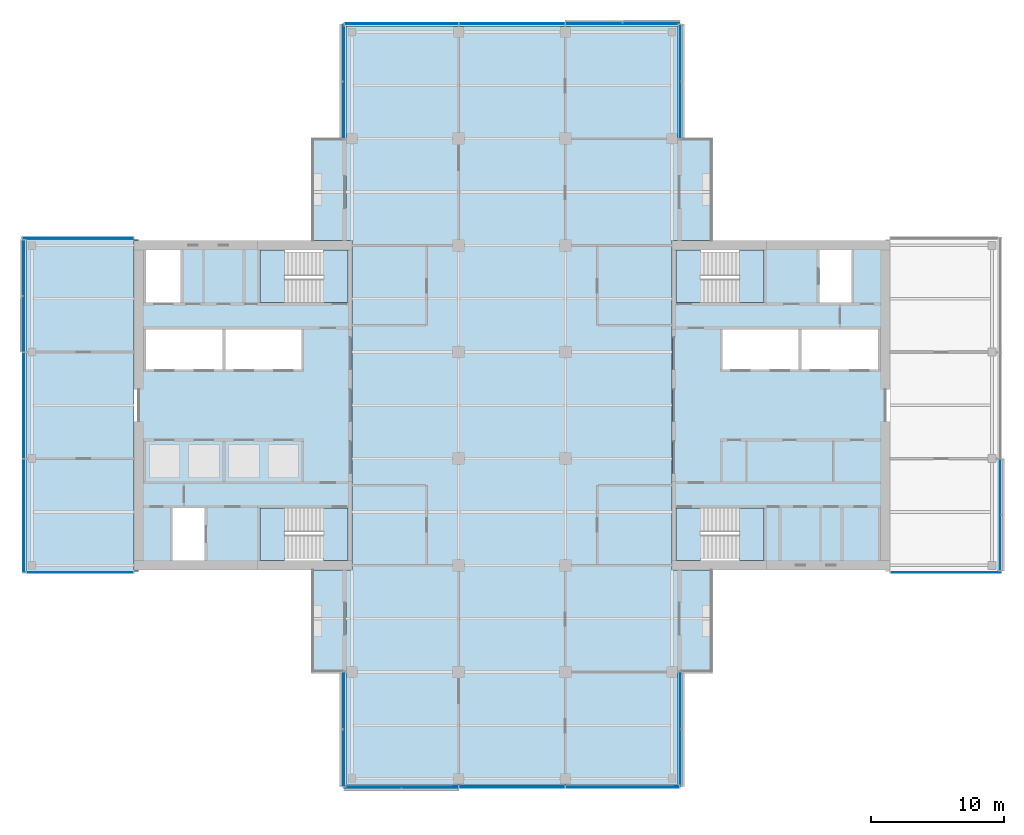
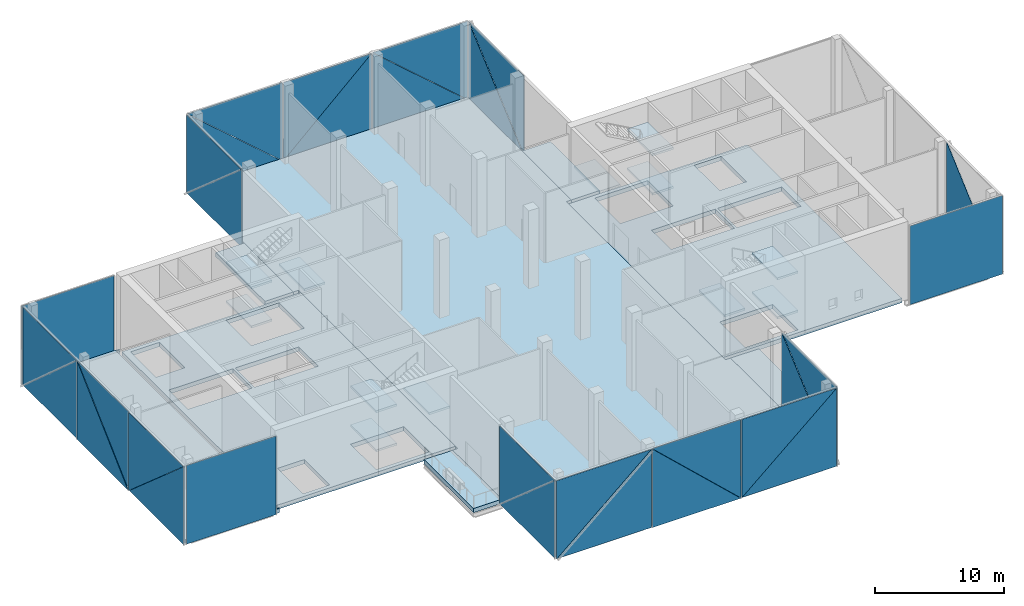
# One storey, part 8 of 20: 30 plates, 20 slabs, 15 elements without a shape of their own.
"""IFC4 building model written with IfcOpenShell, lengths in metres."""

import ifcopenshell
import ifcopenshell.guid

model = None  # the IFC model being written
_history = None  # IfcOwnerHistory: only IFC2X3 demands one
_inside = {}  # id of a spatial element -> (the spatial element, [elements in it])
_under = {}  # id of a project, library or spatial element -> (it, [spatial elements below it])
_declared = {}  # id of a project -> (the project, [libraries it declares])
_typed = {}  # id of a type object -> (the type object, [elements of that type])
_made_of = {}  # id of a material, layer set ... -> (it, [elements and type objects made of it])


def new_model(schema):
    """Start an empty IFC model of exactly this schema.

    Asked for "IFC4X3", IfcOpenShell would pick the latest addendum, in which some entities
    have other attributes; the version numbers below select the first issue.
    IFC2X3 requires an IfcOwnerHistory on every rooted entity: one is made here for all.
    """
    global model, _history
    if schema == "IFC4X3":
        model = ifcopenshell.file(schema_version=(4, 3, 0, 0))
    else:
        model = ifcopenshell.file(schema=schema)
    _inside.clear()
    _under.clear()
    _declared.clear()
    _typed.clear()
    _made_of.clear()
    _history = None
    if model.schema == "IFC2X3":
        org = make("IfcOrganization", Name="unknown")
        user = make(
            "IfcPersonAndOrganization",
            ThePerson=make("IfcPerson", FamilyName="unknown"),
            TheOrganization=org,
        )
        app = make(
            "IfcApplication",
            ApplicationDeveloper=org,
            Version="unknown",
            ApplicationFullName="unknown",
            ApplicationIdentifier="unknown",
        )
        _history = make(
            "IfcOwnerHistory",
            OwningUser=user,
            OwningApplication=app,
            ChangeAction="ADDED",
            CreationDate=0,
        )
    return model


def make(cls, **values):
    """One entity of the class cls with the attributes given. An attribute that is None is left unset."""
    return model.create_entity(
        cls, **{name: value for name, value in values.items() if value is not None}
    )


def rooted(cls, **values):
    """An entity with a GlobalId (a new one), such as an element, a storey or a relation."""
    return make(cls, GlobalId=ifcopenshell.guid.new(), OwnerHistory=_history, **values)


def si_unit(unit_type, name, prefix=None):
    """IfcSIUnit, for example si_unit("LENGTHUNIT", "METRE", prefix="MILLI")."""
    return make("IfcSIUnit", UnitType=unit_type, Prefix=prefix, Name=name)


def assignment(units):
    """IfcUnitAssignment: the units of a project."""
    return None if units is None else make("IfcUnitAssignment", Units=units)


def point(xyz):
    """IfcCartesianPoint."""
    return None if xyz is None else make("IfcCartesianPoint", Coordinates=xyz)


def direction(xyz):
    """IfcDirection."""
    return None if xyz is None else make("IfcDirection", DirectionRatios=xyz)


def frame(location, z_axis=None, x_axis=None):
    """IfcAxis2Placement3D, a coordinate frame: its origin and axes. An axis left out is left unset."""
    return make(
        "IfcAxis2Placement3D",
        Location=point(location),
        Axis=direction(z_axis),
        RefDirection=direction(x_axis),
    )


def origin():
    """The frame at (0, 0, 0) with its axes left unset."""
    return frame((0.0, 0.0, 0.0))


def place(relative_to, where):
    """IfcLocalPlacement: puts the frame where relative to a parent placement (None: the world)."""
    return make(
        "IfcLocalPlacement", PlacementRelTo=relative_to, RelativePlacement=where
    )


def context(
    kind, dimensions, precision=None, world=None, true_north=None, identifier=None
):
    """IfcGeometricRepresentationContext, for example the 3D "Model" context."""
    return make(
        "IfcGeometricRepresentationContext",
        ContextIdentifier=identifier,
        ContextType=kind,
        CoordinateSpaceDimension=dimensions,
        Precision=precision,
        WorldCoordinateSystem=world,
        TrueNorth=true_north,
    )


def subcontext(parent, identifier, kind, view, scale=None):
    """IfcGeometricRepresentationSubContext, for example "Body" below "Model"."""
    return make(
        "IfcGeometricRepresentationSubContext",
        ContextIdentifier=identifier,
        ContextType=kind,
        ParentContext=parent,
        TargetScale=scale,
        TargetView=view,
    )


def project(units=None, contexts=None):
    """IfcProject with its units and contexts."""
    return rooted(
        "IfcProject",
        Name="project",
        RepresentationContexts=contexts,
        UnitsInContext=assignment(units),
    )


def spatial(cls, under=None, at=None, **own):
    """A site, building, storey or space (cls), placed at a placement, below another one or the project."""
    s = rooted(cls, ObjectPlacement=at, **own)
    if under is not None:
        _under.setdefault(under.id(), (under, []))[1].append(s)
    return s


def polyline(points):
    """IfcPolyline through the points."""
    return make("IfcPolyline", Points=[point(p) for p in points])


def outline(outer, holes=None, kind="AREA"):
    """IfcArbitraryClosedProfileDef: a profile drawn as a closed curve; with holes, ...WithVoids."""
    if holes is None:
        return make("IfcArbitraryClosedProfileDef", ProfileType=kind, OuterCurve=outer)
    return make(
        "IfcArbitraryProfileDefWithVoids",
        ProfileType=kind,
        OuterCurve=outer,
        InnerCurves=holes,
    )


def extrude(swept, where, along, depth):
    """IfcExtrudedAreaSolid: the profile swept, set in the frame where, extruded along a direction by depth."""
    return make(
        "IfcExtrudedAreaSolid",
        SweptArea=swept,
        Position=where,
        ExtrudedDirection=direction(along),
        Depth=depth,
    )


def shape(context_of_items, identifier, shape_type, items):
    """IfcShapeRepresentation: the items that make up one representation, for example the "Body"."""
    return make(
        "IfcShapeRepresentation",
        ContextOfItems=context_of_items,
        RepresentationIdentifier=identifier,
        RepresentationType=shape_type,
        Items=items,
    )


def material(Name=None, Category=None):
    """IfcMaterial."""
    return make("IfcMaterial", Name=Name, Category=Category)


def layer(
    of_material, thickness, ventilated=None, Name=None, Category=None, Priority=None
):
    """IfcMaterialLayer: one layer of a wall or slab, of a material (None: an air gap)."""
    return make(
        "IfcMaterialLayer",
        Material=of_material,
        LayerThickness=thickness,
        IsVentilated=ventilated,
        Name=Name,
        Category=Category,
        Priority=Priority,
    )


def layer_set(layers, Name=None):
    """IfcMaterialLayerSet."""
    return make("IfcMaterialLayerSet", MaterialLayers=layers, LayerSetName=Name)


def made_of(thing, what):
    """Note that an element or type object is made of a material, layer set ...; save() writes the relation."""
    if what is not None:
        _made_of.setdefault(what.id(), (what, []))[1].append(thing)
    return thing


def type_object(cls, material=None, **own):
    """A type object (cls), such as IfcWallType, which elements share."""
    return made_of(rooted(cls, **own), material)


def element(
    cls,
    number,
    at=None,
    inside=None,
    cuts=None,
    type_object=None,
    material=None,
    context=None,
    identifier="Body",
    shape_type=None,
    held_by="IfcProductDefinitionShape",
    body=None,
    shapes=None,
    **own,
):
    """One element of the class cls, such as IfcWall. Its Tag is "e" and its number.

    at: its placement. inside: the storey or other place that contains it. cuts: it is an
    opening in that element (IfcRelVoidsElement). A single representation is given by context,
    identifier, shape_type and body (its items); several are given by shapes. held_by: the class
    of the entity that holds the representations. save() writes the other relations.
    """
    e = rooted(cls, Tag="e%d" % number, ObjectPlacement=at, **own)
    if body is not None:
        shapes = [shape(context, identifier, shape_type, body)]
    if shapes is not None:
        e.Representation = make(held_by, Representations=shapes)
    if inside is not None:
        _inside.setdefault(inside.id(), (inside, []))[1].append(e)
    if cuts is not None:
        rooted(
            "IfcRelVoidsElement", RelatingBuildingElement=cuts, RelatedOpeningElement=e
        )
    if type_object is not None:
        _typed.setdefault(type_object.id(), (type_object, []))[1].append(e)
    return made_of(e, material)


def aggregate(whole, parts):
    """IfcRelAggregates: a whole, such as a stair, and the parts it consists of."""
    return rooted("IfcRelAggregates", RelatingObject=whole, RelatedObjects=parts)


def save(model, path):
    """Write the relations noted so far, then the file.

    IfcRelAggregates (storeys below a building ...), IfcRelContainedInSpatialStructure (elements
    in a storey), IfcRelDefinesByType, IfcRelAssociatesMaterial and IfcRelDeclares: one each for
    every whole, place, type object, material and project.
    """
    for whole, parts in _under.values():
        aggregate(whole, parts)
    for where, things in _inside.values():
        rooted(
            "IfcRelContainedInSpatialStructure",
            RelatedElements=things,
            RelatingStructure=where,
        )
    for kind, things in _typed.values():
        rooted("IfcRelDefinesByType", RelatedObjects=things, RelatingType=kind)
    for what, things in _made_of.values():
        rooted("IfcRelAssociatesMaterial", RelatedObjects=things, RelatingMaterial=what)
    for by, libraries in _declared.values():
        rooted("IfcRelDeclares", RelatingContext=by, RelatedDefinitions=libraries)
    model.write(path)


model = new_model("IFC4")

# Units and contexts
model_context = context("Model", 3, precision=1e-05, world=origin(), true_north=direction((0.0, 1.0)))
body_context = subcontext(model_context, "Body", "Model", "MODEL_VIEW")
ifc_project = project(units=[si_unit("LENGTHUNIT", "METRE"), si_unit("AREAUNIT", "SQUARE_METRE"), si_unit("VOLUMEUNIT", "CUBIC_METRE"), si_unit("PLANEANGLEUNIT", "RADIAN"), si_unit("MASSUNIT", "GRAM", prefix="KILO")], contexts=[model_context])

# Site, building, storey
site_placement = place(None, origin())
site = spatial("IfcSite", under=ifc_project, at=site_placement, CompositionType="ELEMENT")
building_placement = place(site_placement, origin())
building = spatial("IfcBuilding", under=site, at=building_placement, Name="Crosswind Convention Tower", CompositionType="ELEMENT")
storey_placement = place(building_placement, frame((0.0, 0.0, 171.5)))
storey = spatial("IfcBuildingStorey", under=building, at=storey_placement, Name="L36", CompositionType="ELEMENT", Elevation=171.5)

# Slabs
ifc_material_1 = material(Name="Concrete C40/50", Category="concrete")
ifc_layer_1 = layer(ifc_material_1, 0.39990234375)
ifc_layer_set_1 = layer_set([ifc_layer_1], Name="Concrete C40/50")
slab_type_1 = type_object("IfcSlabType", Name="Composite floor slab 400", PredefinedType="FLOOR", material=ifc_layer_set_1)
slab_1_placement = place(storey_placement, frame((0.0, 0.0, -0.39990234375)))
element("IfcSlab", 1, at=slab_1_placement, inside=storey, type_object=slab_type_1, Name="Floor slab L36 part 1", PredefinedType="FLOOR", context=body_context, shape_type="SweptSolid", body=[
    extrude(outline(polyline([(97.0, 87.550048828125), (89.0, 87.550048828125), (88.550048828125, 87.550048828125), (88.550048828125, 88.0), (88.550048828125, 112.0), (88.550048828125, 112.449951171875), (89.0, 112.449951171875), (97.0, 112.449951171875), (97.0, 112.35009765625), (96.64990234375, 112.35009765625), (96.64990234375, 87.64990234375), (97.0, 87.64990234375), (97.0, 87.550048828125)])), origin(), (0.0, 0.0, 1.0), 0.39990234375),
])
slab_2_placement = place(storey_placement, frame((0.0, 0.0, -0.39990234375)))
element("IfcSlab", 2, at=slab_2_placement, inside=storey, type_object=slab_type_1, Name="Floor slab L36 part 2", PredefinedType="FLOOR", context=body_context, shape_type="SweptSolid", body=[
    extrude(outline(polyline([(112.550048828125, 87.64990234375), (113.0, 87.64990234375), (113.0, 112.35009765625), (112.550048828125, 112.35009765625), (112.550048828125, 128.0), (112.550048828125, 128.449951171875), (113.0, 128.449951171875), (137.0, 128.449951171875), (137.449951171875, 128.449951171875), (137.449951171875, 128.0), (137.449951171875, 112.35009765625), (137.0, 112.35009765625), (137.0, 87.64990234375), (137.449951171875, 87.64990234375), (137.449951171875, 72.0), (137.449951171875, 71.550048828125), (137.0, 71.550048828125), (113.0, 71.550048828125), (112.550048828125, 71.550048828125), (112.550048828125, 72.0), (112.550048828125, 87.64990234375)])), origin(), (0.0, 0.0, 1.0), 0.39990234375),
])
ifc_layer_2 = layer(ifc_material_1, 0.39990234375)
ifc_layer_set_2 = layer_set([ifc_layer_2], Name="Concrete C40/50")
slab_type_2 = type_object("IfcSlabType", Name="Concrete core floor slab 400", PredefinedType="FLOOR", material=ifc_layer_set_2)
slab_3_placement = place(storey_placement, frame((0.0, 0.0, -0.39990234375)))
element("IfcSlab", 3, at=slab_3_placement, inside=storey, type_object=slab_type_2, Name="Core floor slab E L36", PredefinedType="FLOOR", context=body_context, shape_type="SweptSolid", body=[
    extrude(outline(polyline([(137.0, 88.0), (153.0, 88.0), (153.0, 112.0), (137.0, 112.0), (137.0, 88.0)]), holes=[polyline([(146.5, 102.699951171875), (146.5, 105.699951171875), (140.800048828125, 105.699951171875), (140.800048828125, 102.699951171875), (146.5, 102.699951171875)]), polyline([(152.449951171875, 102.699951171875), (152.449951171875, 105.699951171875), (146.699951171875, 105.699951171875), (146.699951171875, 102.699951171875), (152.449951171875, 102.699951171875)]), polyline([(150.449951171875, 107.699951171875), (150.449951171875, 111.64990234375), (148.050048828125, 111.64990234375), (148.050048828125, 107.699951171875), (150.449951171875, 107.699951171875)]), polyline([(143.89990234375, 107.699951171875), (143.89990234375, 111.64990234375), (139.14990234375, 111.64990234375), (139.14990234375, 107.699951171875), (143.89990234375, 107.699951171875)]), polyline([(143.89990234375, 88.35009765625), (143.89990234375, 92.300048828125), (139.14990234375, 92.300048828125), (139.14990234375, 88.35009765625), (143.89990234375, 88.35009765625)])]), origin(), (0.0, 0.0, 1.0), 0.39990234375),
])
slab_4_placement = place(storey_placement, frame((0.0, 0.0, -0.39990234375)))
element("IfcSlab", 4, at=slab_4_placement, inside=storey, type_object=slab_type_2, Name="Core floor slab W L36", PredefinedType="FLOOR", context=body_context, shape_type="SweptSolid", body=[
    extrude(outline(polyline([(97.0, 88.0), (113.0, 88.0), (113.0, 112.0), (97.0, 112.0), (97.0, 88.0)]), holes=[polyline([(109.199951171875, 102.699951171875), (109.199951171875, 105.699951171875), (103.5, 105.699951171875), (103.5, 102.699951171875), (109.199951171875, 102.699951171875)]), polyline([(103.300048828125, 102.699951171875), (103.300048828125, 105.699951171875), (97.550048828125, 105.699951171875), (97.550048828125, 102.699951171875), (103.300048828125, 102.699951171875)]), polyline([(101.949951171875, 88.35009765625), (101.949951171875, 92.300048828125), (99.550048828125, 92.300048828125), (99.550048828125, 88.35009765625), (101.949951171875, 88.35009765625)]), polyline([(100.14990234375, 107.699951171875), (100.14990234375, 111.64990234375), (97.550048828125, 111.64990234375), (97.550048828125, 107.699951171875), (100.14990234375, 107.699951171875)]), polyline([(110.85009765625, 88.35009765625), (110.85009765625, 92.300048828125), (106.10009765625, 92.300048828125), (106.10009765625, 88.35009765625), (110.85009765625, 88.35009765625)]), polyline([(110.85009765625, 107.699951171875), (110.85009765625, 111.64990234375), (106.10009765625, 111.64990234375), (106.10009765625, 107.699951171875), (110.85009765625, 107.699951171875)])]), origin(), (0.0, 0.0, 1.0), 0.39990234375),
])

# Stair, slabs
stair_type = type_object("IfcStairType", Name="Exit stair 1800 wide, 4 flights of 11 risers", PredefinedType="HALF_TURN_STAIR", material=ifc_material_1)
stair_1_placement = place(storey_placement, origin())
stair_1 = element("IfcStair", 5, at=stair_1_placement, inside=storey, type_object=stair_type, Name="Exit stair ST1 L36", ObjectType="ST6", PredefinedType="HALF_TURN_STAIR")
ifc_layer_3 = layer(ifc_material_1, 0.199951171875)
ifc_layer_set_3 = layer_set([ifc_layer_3], Name="Concrete C40/50")
slab_type_3 = type_object("IfcSlabType", Name="Stair landing 200", PredefinedType="LANDING", material=ifc_layer_set_3)
slab_5_placement = place(storey_placement, frame((0.0, 0.0, 1.64990234375)))
slab_5 = element("IfcSlab", 6, at=slab_5_placement, type_object=slab_type_3, Name="ST1 landing 1", PredefinedType="LANDING", context=body_context, shape_type="SweptSolid", body=[
    extrude(outline(polyline([(143.89990234375, 107.699951171875), (143.89990234375, 111.64990234375), (142.050048828125, 111.64990234375), (142.050048828125, 107.699951171875), (143.89990234375, 107.699951171875)])), origin(), (0.0, 0.0, 1.0), 0.2001953125),
])
slab_6_placement = place(storey_placement, frame((0.0, 0.0, 3.5)))
slab_6 = element("IfcSlab", 7, at=slab_6_placement, type_object=slab_type_3, Name="ST1 landing 2", PredefinedType="LANDING", context=body_context, shape_type="SweptSolid", body=[
    extrude(outline(polyline([(139.14990234375, 107.699951171875), (139.14990234375, 111.64990234375), (137.300048828125, 111.64990234375), (137.300048828125, 107.699951171875), (139.14990234375, 107.699951171875)])), origin(), (0.0, 0.0, 1.0), 0.199951171875),
])
slab_7_placement = place(storey_placement, frame((0.0, 0.0, 5.35009765625)))
slab_7 = element("IfcSlab", 8, at=slab_7_placement, type_object=slab_type_3, Name="ST1 landing 3", PredefinedType="LANDING", context=body_context, shape_type="SweptSolid", body=[
    extrude(outline(polyline([(143.89990234375, 107.699951171875), (143.89990234375, 111.64990234375), (142.050048828125, 111.64990234375), (142.050048828125, 107.699951171875), (143.89990234375, 107.699951171875)])), origin(), (0.0, 0.0, 1.0), 0.199951171875),
])
aggregate(stair_1, [slab_5, slab_6, slab_7])

stair_2_placement = place(storey_placement, origin())
stair_2 = element("IfcStair", 9, at=stair_2_placement, inside=storey, type_object=stair_type, Name="Exit stair ST2 L36", ObjectType="ST6", PredefinedType="HALF_TURN_STAIR")
slab_8_placement = place(storey_placement, frame((0.0, 0.0, 1.64990234375)))
slab_8 = element("IfcSlab", 10, at=slab_8_placement, type_object=slab_type_3, Name="ST2 landing 1", PredefinedType="LANDING", context=body_context, shape_type="SweptSolid", body=[
    extrude(outline(polyline([(143.89990234375, 88.35009765625), (143.89990234375, 92.300048828125), (142.050048828125, 92.300048828125), (142.050048828125, 88.35009765625), (143.89990234375, 88.35009765625)])), origin(), (0.0, 0.0, 1.0), 0.2001953125),
])
slab_9_placement = place(storey_placement, frame((0.0, 0.0, 3.5)))
slab_9 = element("IfcSlab", 11, at=slab_9_placement, type_object=slab_type_3, Name="ST2 landing 2", PredefinedType="LANDING", context=body_context, shape_type="SweptSolid", body=[
    extrude(outline(polyline([(139.14990234375, 88.35009765625), (139.14990234375, 92.300048828125), (137.300048828125, 92.300048828125), (137.300048828125, 88.35009765625), (139.14990234375, 88.35009765625)])), origin(), (0.0, 0.0, 1.0), 0.199951171875),
])
slab_10_placement = place(storey_placement, frame((0.0, 0.0, 5.35009765625)))
slab_10 = element("IfcSlab", 12, at=slab_10_placement, type_object=slab_type_3, Name="ST2 landing 3", PredefinedType="LANDING", context=body_context, shape_type="SweptSolid", body=[
    extrude(outline(polyline([(143.89990234375, 88.35009765625), (143.89990234375, 92.300048828125), (142.050048828125, 92.300048828125), (142.050048828125, 88.35009765625), (143.89990234375, 88.35009765625)])), origin(), (0.0, 0.0, 1.0), 0.199951171875),
])
aggregate(stair_2, [slab_8, slab_9, slab_10])

stair_3_placement = place(storey_placement, origin())
stair_3 = element("IfcStair", 13, at=stair_3_placement, inside=storey, type_object=stair_type, Name="Exit stair ST3 L36", ObjectType="ST6", PredefinedType="HALF_TURN_STAIR")
slab_11_placement = place(storey_placement, frame((0.0, 0.0, 1.64990234375)))
slab_11 = element("IfcSlab", 14, at=slab_11_placement, type_object=slab_type_3, Name="ST3 landing 1", PredefinedType="LANDING", context=body_context, shape_type="SweptSolid", body=[
    extrude(outline(polyline([(107.949951171875, 88.35009765625), (107.949951171875, 92.300048828125), (106.10009765625, 92.300048828125), (106.10009765625, 88.35009765625), (107.949951171875, 88.35009765625)])), origin(), (0.0, 0.0, 1.0), 0.2001953125),
])
slab_12_placement = place(storey_placement, frame((0.0, 0.0, 3.5)))
slab_12 = element("IfcSlab", 15, at=slab_12_placement, type_object=slab_type_3, Name="ST3 landing 2", PredefinedType="LANDING", context=body_context, shape_type="SweptSolid", body=[
    extrude(outline(polyline([(112.699951171875, 88.35009765625), (112.699951171875, 92.300048828125), (110.85009765625, 92.300048828125), (110.85009765625, 88.35009765625), (112.699951171875, 88.35009765625)])), origin(), (0.0, 0.0, 1.0), 0.199951171875),
])
slab_13_placement = place(storey_placement, frame((0.0, 0.0, 5.35009765625)))
slab_13 = element("IfcSlab", 16, at=slab_13_placement, type_object=slab_type_3, Name="ST3 landing 3", PredefinedType="LANDING", context=body_context, shape_type="SweptSolid", body=[
    extrude(outline(polyline([(107.949951171875, 88.35009765625), (107.949951171875, 92.300048828125), (106.10009765625, 92.300048828125), (106.10009765625, 88.35009765625), (107.949951171875, 88.35009765625)])), origin(), (0.0, 0.0, 1.0), 0.199951171875),
])
aggregate(stair_3, [slab_11, slab_12, slab_13])

stair_4_placement = place(storey_placement, origin())
stair_4 = element("IfcStair", 17, at=stair_4_placement, inside=storey, type_object=stair_type, Name="Exit stair ST4 L36", ObjectType="ST6", PredefinedType="HALF_TURN_STAIR")
slab_14_placement = place(storey_placement, frame((0.0, 0.0, 1.64990234375)))
slab_14 = element("IfcSlab", 18, at=slab_14_placement, type_object=slab_type_3, Name="ST4 landing 1", PredefinedType="LANDING", context=body_context, shape_type="SweptSolid", body=[
    extrude(outline(polyline([(107.949951171875, 107.699951171875), (107.949951171875, 111.64990234375), (106.10009765625, 111.64990234375), (106.10009765625, 107.699951171875), (107.949951171875, 107.699951171875)])), origin(), (0.0, 0.0, 1.0), 0.2001953125),
])
slab_15_placement = place(storey_placement, frame((0.0, 0.0, 3.5)))
slab_15 = element("IfcSlab", 19, at=slab_15_placement, type_object=slab_type_3, Name="ST4 landing 2", PredefinedType="LANDING", context=body_context, shape_type="SweptSolid", body=[
    extrude(outline(polyline([(112.699951171875, 107.699951171875), (112.699951171875, 111.64990234375), (110.85009765625, 111.64990234375), (110.85009765625, 107.699951171875), (112.699951171875, 107.699951171875)])), origin(), (0.0, 0.0, 1.0), 0.199951171875),
])
slab_16_placement = place(storey_placement, frame((0.0, 0.0, 5.35009765625)))
slab_16 = element("IfcSlab", 20, at=slab_16_placement, type_object=slab_type_3, Name="ST4 landing 3", PredefinedType="LANDING", context=body_context, shape_type="SweptSolid", body=[
    extrude(outline(polyline([(107.949951171875, 107.699951171875), (107.949951171875, 111.64990234375), (106.10009765625, 111.64990234375), (106.10009765625, 107.699951171875), (107.949951171875, 107.699951171875)])), origin(), (0.0, 0.0, 1.0), 0.199951171875),
])
aggregate(stair_4, [slab_14, slab_15, slab_16])

# Curtain wall, plate
ifc_material_2 = material(Name="Aluminium unitised curtain wall", Category="aluminium")
curtain_wall_type_1 = type_object("IfcCurtainWallType", Name="CORE END SLOT WALL 160", PredefinedType="USERDEFINED", material=ifc_material_2)
curtain_wall_1_placement = place(storey_placement, origin())
curtain_wall_1 = element("IfcCurtainWall", 21, at=curtain_wall_1_placement, inside=storey, type_object=curtain_wall_type_1, Name="CW6 L36 W-N.2-1 slot", ObjectType="UNITISED", PredefinedType="USERDEFINED")
ifc_material_3 = material(Name="Laminated insulating glass unit", Category="glass")
ifc_layer_4 = layer(ifc_material_3, 0.02587890625)
ifc_layer_set_4 = layer_set([ifc_layer_4], Name="TRIANGULAR GLASS PANEL 26")
plate_type_1 = type_object("IfcPlateType", Name="TRIANGULAR GLASS PANEL 26", PredefinedType="CURTAIN_PANEL", material=ifc_layer_set_4)
plate_1_placement = place(storey_placement, frame((96.60009765625, 112.557373046875, -0.39990234375), z_axis=(0.0, 0.999999922678, 0.000393249191), x_axis=(-1.0, 0.0, 0.0)))
plate_1 = element("IfcPlate", 22, at=plate_1_placement, type_object=plate_type_1, Name="CW6 panel 1.1", PredefinedType="CURTAIN_PANEL", context=body_context, shape_type="SweptSolid", body=[
    extrude(outline(polyline([(0.0, 0.0), (8.280029296875, 0.0), (8.280029296875, 7.449951747923642), (0.0, 7.449951747923642), (0.0, 0.0)])), origin(), (0.0, 0.0, -1.0), 0.02587890625),
])
aggregate(curtain_wall_1, [plate_1])

curtain_wall_2_placement = place(storey_placement, origin())
curtain_wall_2 = element("IfcCurtainWall", 23, at=curtain_wall_2_placement, inside=storey, type_object=curtain_wall_type_1, Name="CW6 L36 W-S.1-1 slot", ObjectType="UNITISED", PredefinedType="USERDEFINED")
plate_2_placement = place(storey_placement, frame((88.60009765625, 87.442626953125, -0.39990234375), z_axis=(0.0, -0.999999922678, 0.000393249191), x_axis=(1.0, 0.0, 0.0)))
plate_2 = element("IfcPlate", 24, at=plate_2_placement, type_object=plate_type_1, Name="CW6 panel 1.1", PredefinedType="CURTAIN_PANEL", context=body_context, shape_type="SweptSolid", body=[
    extrude(outline(polyline([(0.0, 0.0), (8.0, 0.0), (8.0, 7.449951747923642), (0.0, 7.449951747923642), (0.0, 0.0)])), origin(), (0.0, 0.0, -1.0), 0.02587890625),
])
aggregate(curtain_wall_2, [plate_2])

curtain_wall_3_placement = place(storey_placement, origin())
curtain_wall_3 = element("IfcCurtainWall", 25, at=curtain_wall_3_placement, inside=storey, type_object=curtain_wall_type_1, Name="CW6 L36 E-S.2-1 slot", ObjectType="UNITISED", PredefinedType="USERDEFINED")
plate_3_placement = place(storey_placement, frame((153.39990234375, 87.442626953125, -0.39990234375), z_axis=(0.0, -0.999999922678, 0.000393249191), x_axis=(1.0, 0.0, 0.0)))
plate_3 = element("IfcPlate", 26, at=plate_3_placement, type_object=plate_type_1, Name="CW6 panel 1.1", PredefinedType="CURTAIN_PANEL", context=body_context, shape_type="SweptSolid", body=[
    extrude(outline(polyline([(0.0, 0.0), (8.280029296875, 0.0), (8.280029296875, 7.449951747923642), (0.0, 7.449951747923642), (0.0, 0.0)])), origin(), (0.0, 0.0, -1.0), 0.02587890625),
])
aggregate(curtain_wall_3, [plate_3])

curtain_wall_type_2 = type_object("IfcCurtainWallType", Name="SKY LOBBY AND LOUNGE WALL 280", PredefinedType="USERDEFINED", material=ifc_material_2)
curtain_wall_4_placement = place(storey_placement, origin())
curtain_wall_4 = element("IfcCurtainWall", 27, at=curtain_wall_4_placement, inside=storey, type_object=curtain_wall_type_2, Name="CW4 L36 E-TIP 1", ObjectType="UNITISED", PredefinedType="USERDEFINED")
ifc_layer_5 = layer(ifc_material_3, 0.0400390625)
ifc_layer_set_5 = layer_set([ifc_layer_5], Name="TRIANGULAR GLASS PANEL 40")
plate_type_2 = type_object("IfcPlateType", Name="TRIANGULAR GLASS PANEL 40", PredefinedType="CURTAIN_PANEL", material=ifc_layer_set_5)
plate_4_placement = place(storey_placement, frame((161.631591796875, 95.96240234375, -0.39990234375), z_axis=(0.999999908312, 0.0, 0.000428223164), x_axis=(-0.000428223164, 0.0, 0.999999908312)))
plate_4 = element("IfcPlate", 28, at=plate_4_placement, type_object=plate_type_2, Name="CW4 panel 1.1", PredefinedType="CURTAIN_PANEL", context=body_context, shape_type="SweptSolid", body=[
    extrude(outline(polyline([(0.0, 0.0), (7.411621773303392, 0.0), (0.0, 8.322265625), (0.0, 0.0)])), origin(), (0.0, 0.0, -1.0), 0.0400390625),
])
aggregate(curtain_wall_4, [plate_4])

# Curtain wall, plates
curtain_wall_5_placement = place(storey_placement, origin())
curtain_wall_5 = element("IfcCurtainWall", 29, at=curtain_wall_5_placement, inside=storey, type_object=curtain_wall_type_2, Name="CW4 L36 N-E 1", ObjectType="UNITISED", PredefinedType="USERDEFINED")
plate_5_placement = place(storey_placement, frame((137.631591796875, 128.552490234375, -0.39990234375), z_axis=(0.999999908312, 0.0, 0.000428223164), x_axis=(-0.000428223164, 0.0, 0.999999908312)))
plate_5 = element("IfcPlate", 30, at=plate_5_placement, type_object=plate_type_2, Name="CW4 panel 1.1", PredefinedType="CURTAIN_PANEL", context=body_context, shape_type="SweptSolid", body=[
    extrude(outline(polyline([(0.0, 0.0), (7.411621773303392, 0.0), (0.0, 8.499755859375), (0.0, 0.0)])), origin(), (0.0, 0.0, -1.0), 0.0400390625),
])
plate_6_placement = place(storey_placement, frame((137.67041015625, 120.03759765625, 7.02490234375), z_axis=(0.999999908312, 0.0, 0.000428223164), x_axis=(0.000428223164, 0.0, -0.999999908312)))
plate_6 = element("IfcPlate", 31, at=plate_6_placement, type_object=plate_type_2, Name="CW4 panel 1.2", PredefinedType="CURTAIN_PANEL", context=body_context, shape_type="SweptSolid", body=[
    extrude(outline(polyline([(0.0, 0.0), (7.411621773303392, 0.0), (0.0, 8.499755859375), (0.0, 0.0)])), origin(), (0.0, 0.0, -1.0), 0.0400390625),
])
aggregate(curtain_wall_5, [plate_5, plate_6])

curtain_wall_6_placement = place(storey_placement, origin())
curtain_wall_6 = element("IfcCurtainWall", 32, at=curtain_wall_6_placement, inside=storey, type_object=curtain_wall_type_2, Name="CW4 L36 N-TIP 1", ObjectType="UNITISED", PredefinedType="USERDEFINED")
plate_7_placement = place(storey_placement, frame((129.03759765625, 128.631591796875, -0.39990234375), z_axis=(0.0, 0.999999908312, 0.000428223164), x_axis=(0.0, -0.000428223164, 0.999999908312)))
plate_7 = element("IfcPlate", 33, at=plate_7_placement, type_object=plate_type_2, Name="CW4 panel 1.1", PredefinedType="CURTAIN_PANEL", context=body_context, shape_type="SweptSolid", body=[
    extrude(outline(polyline([(0.0, 0.0), (7.411621773303392, 0.0), (0.0, 8.499755859375), (0.0, 0.0)])), origin(), (0.0, 0.0, -1.0), 0.0400390625),
])
plate_8_placement = place(storey_placement, frame((137.552490234375, 128.67041015625, 7.02490234375), z_axis=(0.0, 0.999999908312, 0.000428223164), x_axis=(0.0, 0.000428223164, -0.999999908312)))
plate_8 = element("IfcPlate", 34, at=plate_8_placement, type_object=plate_type_2, Name="CW4 panel 1.2", PredefinedType="CURTAIN_PANEL", context=body_context, shape_type="SweptSolid", body=[
    extrude(outline(polyline([(0.0, 0.0), (7.411621773303392, 0.0), (0.0, 8.499755859375), (0.0, 0.0)])), origin(), (0.0, 0.0, -1.0), 0.0400390625),
])
plate_9_placement = place(storey_placement, frame((121.03759765625, 128.62841796875, 7.02490234375), z_axis=(0.0, 0.9999999083, 0.000428251377), x_axis=(1.0, 0.0, 0.0)))
plate_9 = element("IfcPlate", 35, at=plate_9_placement, type_object=plate_type_2, Name="CW4 panel 2.1", PredefinedType="CURTAIN_PANEL", context=body_context, shape_type="SweptSolid", body=[
    extrude(outline(polyline([(0.0, 0.0), (7.91015625, 0.0), (0.0, 7.4111334920981635), (0.0, 0.0)])), origin(), (0.0, 0.0, -1.0), 0.0400390625),
])
plate_10_placement = place(storey_placement, frame((128.96240234375, 128.673583984375, -0.39990234375), z_axis=(0.0, 0.9999999083, 0.000428251377), x_axis=(-1.0, 0.0, 0.0)))
plate_10 = element("IfcPlate", 36, at=plate_10_placement, type_object=plate_type_2, Name="CW4 panel 2.2", PredefinedType="CURTAIN_PANEL", context=body_context, shape_type="SweptSolid", body=[
    extrude(outline(polyline([(0.0, 0.0), (7.91015625, 0.0), (0.0, 7.4111334920981635), (0.0, 0.0)])), origin(), (0.0, 0.0, -1.0), 0.0400390625),
])
plate_11_placement = place(storey_placement, frame((112.447509765625, 128.631591796875, -0.39990234375), z_axis=(0.0, 0.999999908312, 0.000428223164), x_axis=(0.0, -0.000428223164, 0.999999908312)))
plate_11 = element("IfcPlate", 37, at=plate_11_placement, type_object=plate_type_2, Name="CW4 panel 3.1", PredefinedType="CURTAIN_PANEL", context=body_context, shape_type="SweptSolid", body=[
    extrude(outline(polyline([(0.0, 0.0), (7.411621773303392, 0.0), (0.0, 8.499755859375), (0.0, 0.0)])), origin(), (0.0, 0.0, -1.0), 0.0400390625),
])
plate_12_placement = place(storey_placement, frame((120.96240234375, 128.67041015625, 7.02490234375), z_axis=(0.0, 0.999999908312, 0.000428223164), x_axis=(0.0, 0.000428223164, -0.999999908312)))
plate_12 = element("IfcPlate", 38, at=plate_12_placement, type_object=plate_type_2, Name="CW4 panel 3.2", PredefinedType="CURTAIN_PANEL", context=body_context, shape_type="SweptSolid", body=[
    extrude(outline(polyline([(0.0, 0.0), (7.411621773303392, 0.0), (0.0, 8.499755859375), (0.0, 0.0)])), origin(), (0.0, 0.0, -1.0), 0.0400390625),
])
aggregate(curtain_wall_6, [plate_7, plate_8, plate_9, plate_10, plate_11, plate_12])

curtain_wall_7_placement = place(storey_placement, origin())
curtain_wall_7 = element("IfcCurtainWall", 39, at=curtain_wall_7_placement, inside=storey, type_object=curtain_wall_type_2, Name="CW4 L36 N-W 1", ObjectType="UNITISED", PredefinedType="USERDEFINED")
plate_13_placement = place(storey_placement, frame((112.368408203125, 120.03759765625, -0.39990234375), z_axis=(-0.999999908312, 0.0, 0.000428223164), x_axis=(0.000428223164, 0.0, 0.999999908312)))
plate_13 = element("IfcPlate", 40, at=plate_13_placement, type_object=plate_type_2, Name="CW4 panel 1.1", PredefinedType="CURTAIN_PANEL", context=body_context, shape_type="SweptSolid", body=[
    extrude(outline(polyline([(0.0, 0.0), (7.411621773303392, 0.0), (0.0, 8.499755859375), (0.0, 0.0)])), origin(), (0.0, 0.0, -1.0), 0.0400390625),
])
plate_14_placement = place(storey_placement, frame((112.32958984375, 128.552490234375, 7.02490234375), z_axis=(-0.999999908312, 0.0, 0.000428223164), x_axis=(-0.000428223164, 0.0, -0.999999908312)))
plate_14 = element("IfcPlate", 41, at=plate_14_placement, type_object=plate_type_2, Name="CW4 panel 1.2", PredefinedType="CURTAIN_PANEL", context=body_context, shape_type="SweptSolid", body=[
    extrude(outline(polyline([(0.0, 0.0), (7.411621773303392, 0.0), (0.0, 8.499755859375), (0.0, 0.0)])), origin(), (0.0, 0.0, -1.0), 0.0400390625),
])
aggregate(curtain_wall_7, [plate_13, plate_14])

curtain_wall_8_placement = place(storey_placement, origin())
curtain_wall_8 = element("IfcCurtainWall", 42, at=curtain_wall_8_placement, inside=storey, type_object=curtain_wall_type_2, Name="CW4 L36 W-TIP 1", ObjectType="UNITISED", PredefinedType="USERDEFINED")
plate_15_placement = place(storey_placement, frame((88.368408203125, 104.03759765625, -0.39990234375), z_axis=(-0.999999908312, 0.0, 0.000428223164), x_axis=(0.000428223164, 0.0, 0.999999908312)))
plate_15 = element("IfcPlate", 43, at=plate_15_placement, type_object=plate_type_2, Name="CW4 panel 1.1", PredefinedType="CURTAIN_PANEL", context=body_context, shape_type="SweptSolid", body=[
    extrude(outline(polyline([(0.0, 0.0), (7.411621773303392, 0.0), (0.0, 8.322265625), (0.0, 0.0)])), origin(), (0.0, 0.0, -1.0), 0.0400390625),
])
plate_16_placement = place(storey_placement, frame((88.32958984375, 112.375, 7.02490234375), z_axis=(-0.999999908312, 0.0, 0.000428223164), x_axis=(-0.000428223164, 0.0, -0.999999908312)))
plate_16 = element("IfcPlate", 44, at=plate_16_placement, type_object=plate_type_2, Name="CW4 panel 1.2", PredefinedType="CURTAIN_PANEL", context=body_context, shape_type="SweptSolid", body=[
    extrude(outline(polyline([(0.0, 0.0), (7.411621773303392, 0.0), (0.0, 8.322509765625), (0.0, 0.0)])), origin(), (0.0, 0.0, -1.0), 0.0400390625),
])
plate_17_placement = place(storey_placement, frame((88.37158203125, 96.03759765625, 7.02490234375), z_axis=(-0.9999999083, 0.0, 0.000428251377), x_axis=(0.0, 1.0, 0.0)))
plate_17 = element("IfcPlate", 45, at=plate_17_placement, type_object=plate_type_2, Name="CW4 panel 2.1", PredefinedType="CURTAIN_PANEL", context=body_context, shape_type="SweptSolid", body=[
    extrude(outline(polyline([(0.0, 0.0), (7.91015625, 0.0), (0.0, 7.4111334920981635), (0.0, 0.0)])), origin(), (0.0, 0.0, -1.0), 0.0400390625),
])
plate_18_placement = place(storey_placement, frame((88.326416015625, 103.96240234375, -0.39990234375), z_axis=(-0.9999999083, 0.0, 0.000428251377), x_axis=(0.0, -1.0, 0.0)))
plate_18 = element("IfcPlate", 46, at=plate_18_placement, type_object=plate_type_2, Name="CW4 panel 2.2", PredefinedType="CURTAIN_PANEL", context=body_context, shape_type="SweptSolid", body=[
    extrude(outline(polyline([(0.0, 0.0), (7.91015625, 0.0), (0.0, 7.4111334920981635), (0.0, 0.0)])), origin(), (0.0, 0.0, -1.0), 0.0400390625),
])
plate_19_placement = place(storey_placement, frame((88.368408203125, 87.465087890625, -0.39990234375), z_axis=(-0.999999908312, 0.0, 0.000428223164), x_axis=(0.000428223164, 0.0, 0.999999908312)))
plate_19 = element("IfcPlate", 47, at=plate_19_placement, type_object=plate_type_2, Name="CW4 panel 3.1", PredefinedType="CURTAIN_PANEL", context=body_context, shape_type="SweptSolid", body=[
    extrude(outline(polyline([(0.0, 0.0), (7.411621773303392, 0.0), (0.0, 8.482177734375), (0.0, 0.0)])), origin(), (0.0, 0.0, -1.0), 0.0400390625),
])
plate_20_placement = place(storey_placement, frame((88.32958984375, 95.96240234375, 7.02490234375), z_axis=(-0.999999908312, 0.0, 0.000428223164), x_axis=(-0.000428223164, 0.0, -0.999999908312)))
plate_20 = element("IfcPlate", 48, at=plate_20_placement, type_object=plate_type_2, Name="CW4 panel 3.2", PredefinedType="CURTAIN_PANEL", context=body_context, shape_type="SweptSolid", body=[
    extrude(outline(polyline([(0.0, 0.0), (7.411621773303392, 0.0), (0.0, 8.482177734375), (0.0, 0.0)])), origin(), (0.0, 0.0, -1.0), 0.0400390625),
])
aggregate(curtain_wall_8, [plate_15, plate_16, plate_17, plate_18, plate_19, plate_20])

curtain_wall_9_placement = place(storey_placement, origin())
curtain_wall_9 = element("IfcCurtainWall", 49, at=curtain_wall_9_placement, inside=storey, type_object=curtain_wall_type_2, Name="CW4 L36 S-W 1", ObjectType="UNITISED", PredefinedType="USERDEFINED")
plate_21_placement = place(storey_placement, frame((112.368408203125, 71.447509765625, -0.39990234375), z_axis=(-0.999999908312, 0.0, 0.000428223164), x_axis=(0.000428223164, 0.0, 0.999999908312)))
plate_21 = element("IfcPlate", 50, at=plate_21_placement, type_object=plate_type_2, Name="CW4 panel 1.1", PredefinedType="CURTAIN_PANEL", context=body_context, shape_type="SweptSolid", body=[
    extrude(outline(polyline([(0.0, 0.0), (7.411621773303392, 0.0), (0.0, 8.499755859375), (0.0, 0.0)])), origin(), (0.0, 0.0, -1.0), 0.0400390625),
])
plate_22_placement = place(storey_placement, frame((112.32958984375, 79.96240234375, 7.02490234375), z_axis=(-0.999999908312, 0.0, 0.000428223164), x_axis=(-0.000428223164, 0.0, -0.999999908312)))
plate_22 = element("IfcPlate", 51, at=plate_22_placement, type_object=plate_type_2, Name="CW4 panel 1.2", PredefinedType="CURTAIN_PANEL", context=body_context, shape_type="SweptSolid", body=[
    extrude(outline(polyline([(0.0, 0.0), (7.411621773303392, 0.0), (0.0, 8.499755859375), (0.0, 0.0)])), origin(), (0.0, 0.0, -1.0), 0.0400390625),
])
aggregate(curtain_wall_9, [plate_21, plate_22])

curtain_wall_10_placement = place(storey_placement, origin())
curtain_wall_10 = element("IfcCurtainWall", 52, at=curtain_wall_10_placement, inside=storey, type_object=curtain_wall_type_2, Name="CW4 L36 S-TIP 1", ObjectType="UNITISED", PredefinedType="USERDEFINED")
plate_23_placement = place(storey_placement, frame((120.96240234375, 71.368408203125, -0.39990234375), z_axis=(0.0, -0.999999908312, 0.000428223164), x_axis=(0.0, 0.000428223164, 0.999999908312)))
plate_23 = element("IfcPlate", 53, at=plate_23_placement, type_object=plate_type_2, Name="CW4 panel 1.1", PredefinedType="CURTAIN_PANEL", context=body_context, shape_type="SweptSolid", body=[
    extrude(outline(polyline([(0.0, 0.0), (7.411621773303392, 0.0), (0.0, 8.499755859375), (0.0, 0.0)])), origin(), (0.0, 0.0, -1.0), 0.0400390625),
])
plate_24_placement = place(storey_placement, frame((112.447509765625, 71.32958984375, 7.02490234375), z_axis=(0.0, -0.999999908312, 0.000428223164), x_axis=(0.0, -0.000428223164, -0.999999908312)))
plate_24 = element("IfcPlate", 54, at=plate_24_placement, type_object=plate_type_2, Name="CW4 panel 1.2", PredefinedType="CURTAIN_PANEL", context=body_context, shape_type="SweptSolid", body=[
    extrude(outline(polyline([(0.0, 0.0), (7.411621773303392, 0.0), (0.0, 8.499755859375), (0.0, 0.0)])), origin(), (0.0, 0.0, -1.0), 0.0400390625),
])
plate_25_placement = place(storey_placement, frame((128.96240234375, 71.37158203125, 7.02490234375), z_axis=(0.0, -0.9999999083, 0.000428251377), x_axis=(-1.0, 0.0, 0.0)))
plate_25 = element("IfcPlate", 55, at=plate_25_placement, type_object=plate_type_2, Name="CW4 panel 2.1", PredefinedType="CURTAIN_PANEL", context=body_context, shape_type="SweptSolid", body=[
    extrude(outline(polyline([(0.0, 0.0), (7.91015625, 0.0), (0.0, 7.4111334920981635), (0.0, 0.0)])), origin(), (0.0, 0.0, -1.0), 0.0400390625),
])
plate_26_placement = place(storey_placement, frame((121.03759765625, 71.326416015625, -0.39990234375), z_axis=(0.0, -0.9999999083, 0.000428251377), x_axis=(1.0, 0.0, 0.0)))
plate_26 = element("IfcPlate", 56, at=plate_26_placement, type_object=plate_type_2, Name="CW4 panel 2.2", PredefinedType="CURTAIN_PANEL", context=body_context, shape_type="SweptSolid", body=[
    extrude(outline(polyline([(0.0, 0.0), (7.91015625, 0.0), (0.0, 7.4111334920981635), (0.0, 0.0)])), origin(), (0.0, 0.0, -1.0), 0.0400390625),
])
plate_27_placement = place(storey_placement, frame((137.552490234375, 71.368408203125, -0.39990234375), z_axis=(0.0, -0.999999908312, 0.000428223164), x_axis=(0.0, 0.000428223164, 0.999999908312)))
plate_27 = element("IfcPlate", 57, at=plate_27_placement, type_object=plate_type_2, Name="CW4 panel 3.1", PredefinedType="CURTAIN_PANEL", context=body_context, shape_type="SweptSolid", body=[
    extrude(outline(polyline([(0.0, 0.0), (7.411621773303392, 0.0), (0.0, 8.499755859375), (0.0, 0.0)])), origin(), (0.0, 0.0, -1.0), 0.0400390625),
])
plate_28_placement = place(storey_placement, frame((129.03759765625, 71.32958984375, 7.02490234375), z_axis=(0.0, -0.999999908312, 0.000428223164), x_axis=(0.0, -0.000428223164, -0.999999908312)))
plate_28 = element("IfcPlate", 58, at=plate_28_placement, type_object=plate_type_2, Name="CW4 panel 3.2", PredefinedType="CURTAIN_PANEL", context=body_context, shape_type="SweptSolid", body=[
    extrude(outline(polyline([(0.0, 0.0), (7.411621773303392, 0.0), (0.0, 8.499755859375), (0.0, 0.0)])), origin(), (0.0, 0.0, -1.0), 0.0400390625),
])
aggregate(curtain_wall_10, [plate_23, plate_24, plate_25, plate_26, plate_27, plate_28])

curtain_wall_11_placement = place(storey_placement, origin())
curtain_wall_11 = element("IfcCurtainWall", 59, at=curtain_wall_11_placement, inside=storey, type_object=curtain_wall_type_2, Name="CW4 L36 S-E 1", ObjectType="UNITISED", PredefinedType="USERDEFINED")
plate_29_placement = place(storey_placement, frame((137.631591796875, 79.96240234375, -0.39990234375), z_axis=(0.999999908312, 0.0, 0.000428223164), x_axis=(-0.000428223164, 0.0, 0.999999908312)))
plate_29 = element("IfcPlate", 60, at=plate_29_placement, type_object=plate_type_2, Name="CW4 panel 1.1", PredefinedType="CURTAIN_PANEL", context=body_context, shape_type="SweptSolid", body=[
    extrude(outline(polyline([(0.0, 0.0), (7.411621773303392, 0.0), (0.0, 8.499755859375), (0.0, 0.0)])), origin(), (0.0, 0.0, -1.0), 0.0400390625),
])
plate_30_placement = place(storey_placement, frame((137.67041015625, 71.447509765625, 7.02490234375), z_axis=(0.999999908312, 0.0, 0.000428223164), x_axis=(0.000428223164, 0.0, -0.999999908312)))
plate_30 = element("IfcPlate", 61, at=plate_30_placement, type_object=plate_type_2, Name="CW4 panel 1.2", PredefinedType="CURTAIN_PANEL", context=body_context, shape_type="SweptSolid", body=[
    extrude(outline(polyline([(0.0, 0.0), (7.411621773303392, 0.0), (0.0, 8.499755859375), (0.0, 0.0)])), origin(), (0.0, 0.0, -1.0), 0.0400390625),
])
aggregate(curtain_wall_11, [plate_29, plate_30])

# Slabs
ifc_layer_6 = layer(ifc_material_1, 0.39990234375)
ifc_layer_set_6 = layer_set([ifc_layer_6], Name="Concrete C40/50")
slab_type_4 = type_object("IfcSlabType", Name="WINTER GARDEN SLAB 400", PredefinedType="USERDEFINED", material=ifc_layer_set_6)
slab_17_placement = place(storey_placement, frame((0.0, 0.0, -0.39990234375)))
element("IfcSlab", 62, at=slab_17_placement, inside=storey, type_object=slab_type_4, Name="WINTER GARDEN L36 N-E.1-1", ObjectType="WINTER GARDEN", PredefinedType="USERDEFINED", context=body_context, shape_type="SweptSolid", body=[
    extrude(outline(polyline([(137.449951171875, 112.35009765625), (137.449951171875, 120.0), (140.0, 120.0), (140.0, 112.35009765625), (137.449951171875, 112.35009765625)])), origin(), (0.0, 0.0, 1.0), 0.39990234375),
])
slab_18_placement = place(storey_placement, frame((0.0, 0.0, -0.39990234375)))
element("IfcSlab", 63, at=slab_18_placement, inside=storey, type_object=slab_type_4, Name="WINTER GARDEN L36 N-W.1-2", ObjectType="WINTER GARDEN", PredefinedType="USERDEFINED", context=body_context, shape_type="SweptSolid", body=[
    extrude(outline(polyline([(112.550048828125, 120.0), (112.550048828125, 112.35009765625), (110.0, 112.35009765625), (110.0, 120.0), (112.550048828125, 120.0)])), origin(), (0.0, 0.0, 1.0), 0.39990234375),
])
slab_19_placement = place(storey_placement, frame((0.0, 0.0, -0.39990234375)))
element("IfcSlab", 64, at=slab_19_placement, inside=storey, type_object=slab_type_4, Name="WINTER GARDEN L36 S-W.1-1", ObjectType="WINTER GARDEN", PredefinedType="USERDEFINED", context=body_context, shape_type="SweptSolid", body=[
    extrude(outline(polyline([(112.550048828125, 87.64990234375), (112.550048828125, 80.0), (110.0, 80.0), (110.0, 87.64990234375), (112.550048828125, 87.64990234375)])), origin(), (0.0, 0.0, 1.0), 0.39990234375),
])
slab_20_placement = place(storey_placement, frame((0.0, 0.0, -0.39990234375)))
element("IfcSlab", 65, at=slab_20_placement, inside=storey, type_object=slab_type_4, Name="WINTER GARDEN L36 S-E.1-2", ObjectType="WINTER GARDEN", PredefinedType="USERDEFINED", context=body_context, shape_type="SweptSolid", body=[
    extrude(outline(polyline([(137.449951171875, 80.0), (137.449951171875, 87.64990234375), (140.0, 87.64990234375), (140.0, 80.0), (137.449951171875, 80.0)])), origin(), (0.0, 0.0, 1.0), 0.39990234375),
])

save(model, "model.ifc")
